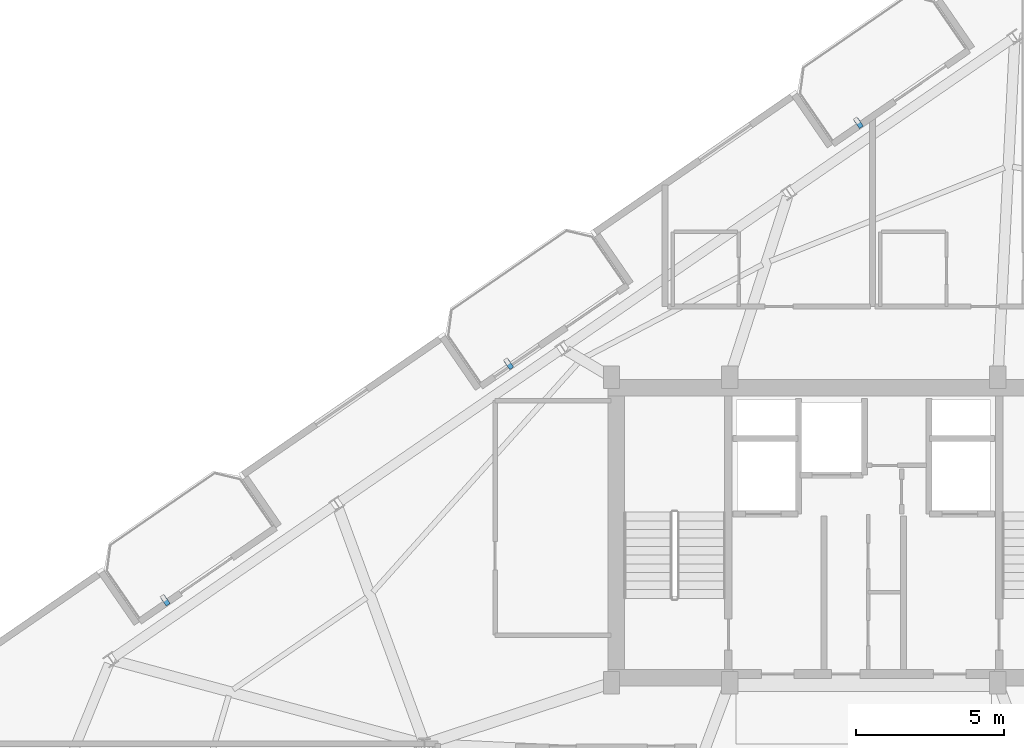
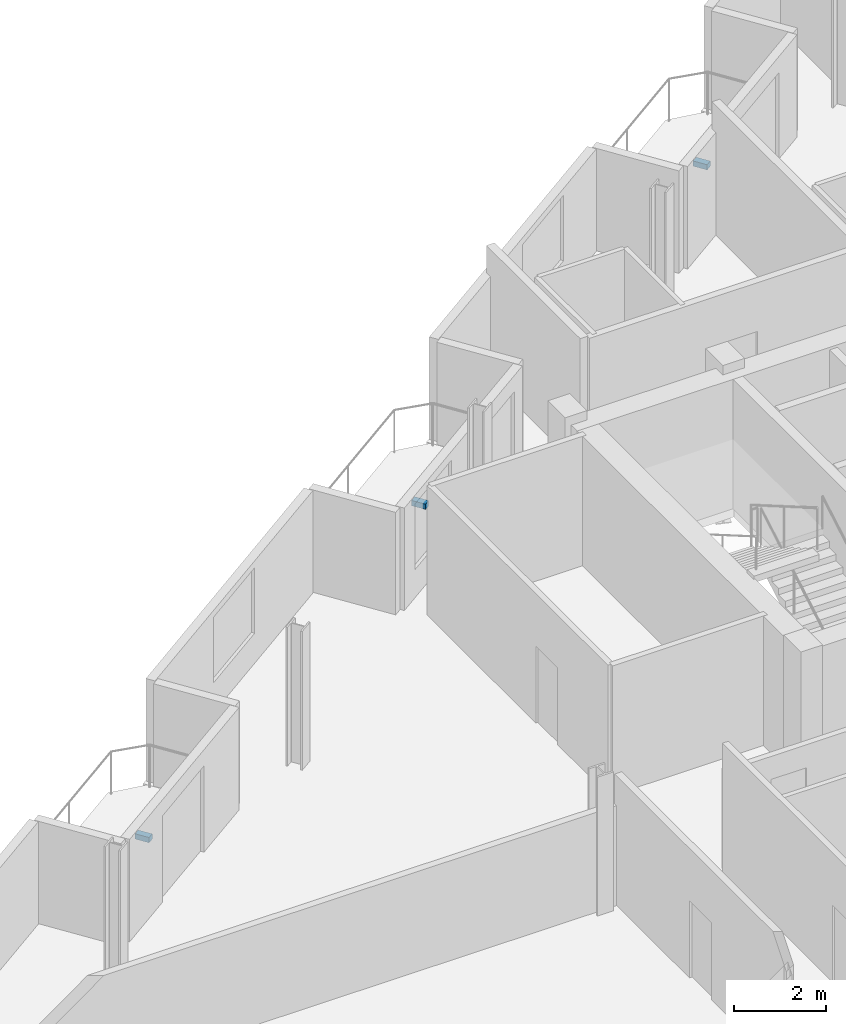
# One storey, part 19 of 22: 3 discrete accessories.
"""IFC4 building model written with IfcOpenShell, lengths in metres."""

from ifc_helpers import new_model, si_unit, direction, frame, origin, origin_2d, place, context, subcontext, project, spatial, rectangle, extrude, source, transform, mapped, material, type_object, element, save


model = new_model("IFC4")

# Units and contexts
model_context = context("Model", 3, precision=1e-05, world=origin(), true_north=direction((0.0, 1.0)))
body_context = subcontext(model_context, "Body", "Model", "MODEL_VIEW")
ifc_project = project(units=[si_unit("LENGTHUNIT", "METRE"), si_unit("AREAUNIT", "SQUARE_METRE"), si_unit("VOLUMEUNIT", "CUBIC_METRE"), si_unit("PLANEANGLEUNIT", "RADIAN"), si_unit("MASSUNIT", "GRAM", prefix="KILO")], contexts=[model_context])

# Site, building, storey
site_placement = place(None, origin())
site = spatial("IfcSite", under=ifc_project, at=site_placement, CompositionType="ELEMENT")
building_placement = place(site_placement, origin())
building = spatial("IfcBuilding", under=site, at=building_placement, Name="Varnelok Gate Tower", CompositionType="ELEMENT")
storey_placement = place(building_placement, frame((0.0, 0.0, 280.39990234375)))
storey = spatial("IfcBuildingStorey", under=building, at=storey_placement, Name="L72", CompositionType="ELEMENT", Elevation=280.39990234375)

# Discrete accessories
ifc_material = material(Name="Structural Steel ASTM A500 Grade C", Category="steel")
discrete_accessory_type = type_object("IfcDiscreteAccessoryType", Name="ACC-BAGUETTE-BRK", PredefinedType="BRACKET", material=ifc_material)
shared_shape = source(origin(), body_context, "Body", "SweptSolid", [
    extrude(rectangle(XDim=0.159912109375, YDim=0.340087890625, at=origin_2d()), origin(), (0.0, 0.0, 1.0), 0.139892578125),
])
for number, where, z_axis, x_axis, name in (
    (1, (15.66650390625, 31.517333984375, 1.97998046875), (0.0, 0.0, 1.0), (0.823532597628, 0.567268949127, 0.0), "L72 Terracotta Baguette Bracket 4.1"),
    (2, (27.240234375, 39.489501953125, 1.97998046875), (0.0, 0.0, 1.0), (0.823532597628, 0.567268949127, 0.0), "L72 Terracotta Baguette Bracket 5.1"),
    (3, (39.027587890625, 47.609130859375, 1.97998046875), (0.0, 0.0, 1.0), (0.823532597628, 0.567268949127, 0.0), "L72 Terracotta Baguette Bracket 6.1"),
):
    element("IfcDiscreteAccessory", number, at=place(storey_placement, frame(where, z_axis=z_axis, x_axis=x_axis)), inside=storey, type_object=discrete_accessory_type, Name=name, PredefinedType="BRACKET", context=body_context, shape_type="MappedRepresentation", body=[
        mapped(shared_shape, transform((0.0, 0.0, 0.0), scale=1.0)),
    ])

save(model, "model.ifc")
